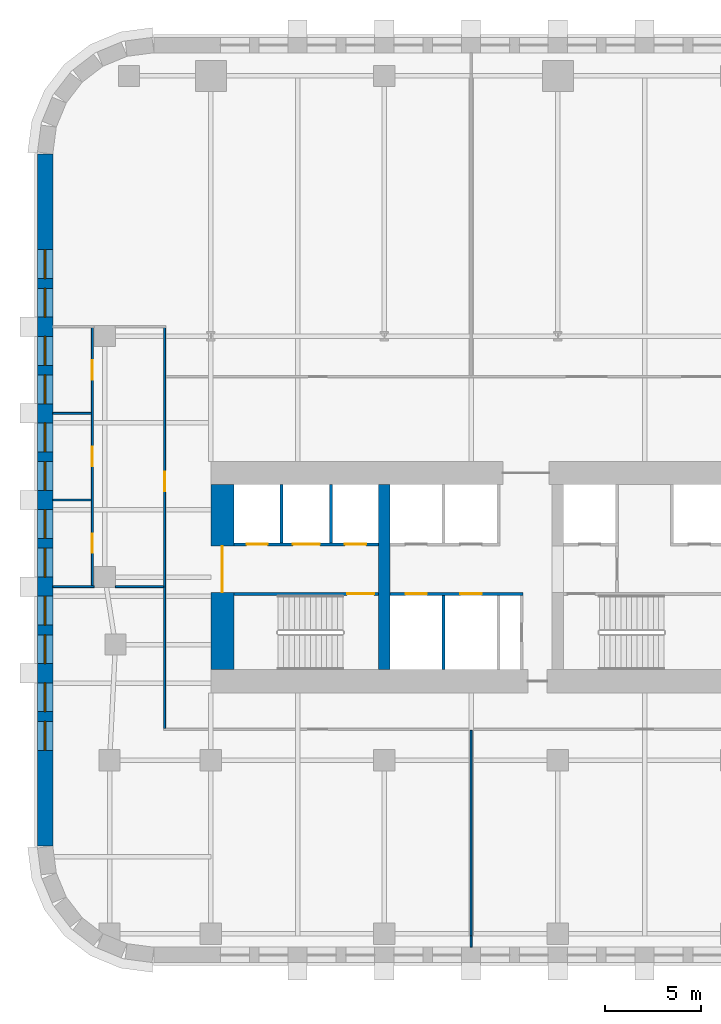
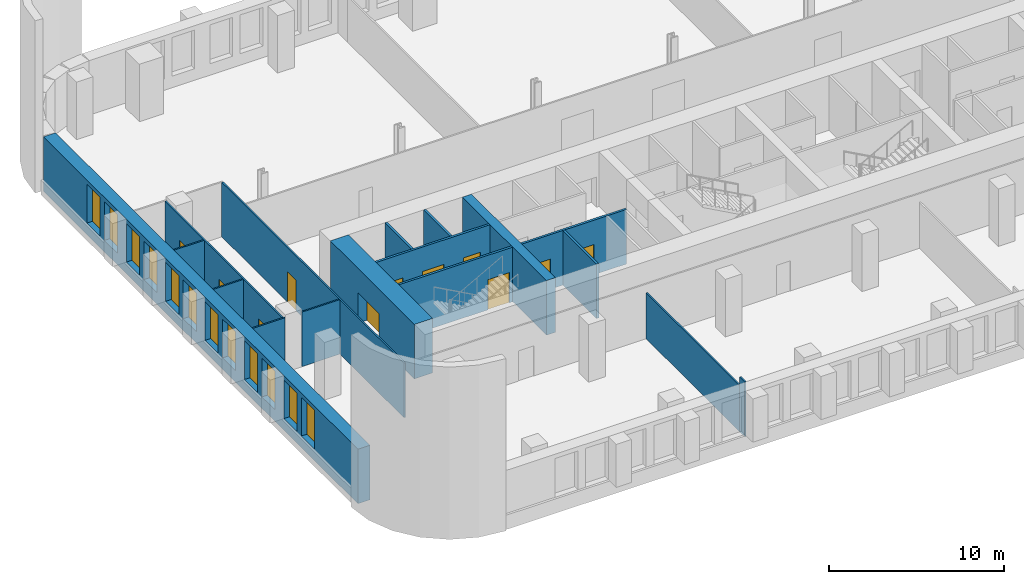
# One storey, part 3 of 11: 17 walls, 12 windows, 11 doors, 23 openings.
"""IFC4 building model written with IfcOpenShell, lengths in metres."""

from ifc_helpers import new_model, si_unit, direction, frame, frame_2d, origin, place, context, subcontext, project, spatial, rectangle, extrude, material, layer, layer_set, type_object, element, fill, save


model = new_model("IFC4")

# Units and contexts
model_context = context("Model", 3, precision=1e-05, world=origin(), true_north=direction((0.0, 1.0)))
body_context = subcontext(model_context, "Body", "Model", "MODEL_VIEW")
ifc_project = project(units=[si_unit("LENGTHUNIT", "METRE"), si_unit("AREAUNIT", "SQUARE_METRE"), si_unit("VOLUMEUNIT", "CUBIC_METRE"), si_unit("PLANEANGLEUNIT", "RADIAN"), si_unit("MASSUNIT", "GRAM", prefix="KILO")], contexts=[model_context])

# Site, building, storey
site_placement = place(None, origin())
site = spatial("IfcSite", under=ifc_project, at=site_placement, CompositionType="ELEMENT")
building_placement = place(site_placement, origin())
building = spatial("IfcBuilding", under=site, at=building_placement, Name="Zellij Exchange Tower", CompositionType="ELEMENT")
storey_placement = place(building_placement, frame((0.0, 0.0, 64.5)))
storey = spatial("IfcBuildingStorey", under=building, at=storey_placement, Name="L12", CompositionType="ELEMENT", Elevation=64.5)

# Walls
ifc_material_1 = material(Name="Concrete C70/85", Category="concrete")
ifc_layer_1 = layer(ifc_material_1, 0.60009765625)
ifc_layer_set_1 = layer_set([ifc_layer_1], Name="Concrete C70/85")
wall_type_1 = type_object("IfcWallType", Name="CORE-CW 600 C70/85", PredefinedType="SHEAR", material=ifc_layer_set_1)
wall_1_placement = place(storey_placement, frame((-18.0, -12.800048828125, 0.0), z_axis=(0.0, 0.0, 1.0), x_axis=(0.0, 1.0, 0.0)))
element("IfcWall", 1, at=wall_1_placement, inside=storey, type_object=wall_type_1, Name="Core cross wall x -18 L12", PredefinedType="SHEAR", context=body_context, shape_type="SweptSolid", body=[
    extrude(rectangle(XDim=9.60009765625, YDim=0.60009765625, at=frame_2d((4.800048828125, 0.0))), origin(), (0.0, 0.0, 1.0), 3.800048828125),
])
ifc_material_2 = material(Name="Gypsum shaft wall system")
ifc_layer_2 = layer(ifc_material_2, 0.14990234375)
ifc_layer_set_2 = layer_set([ifc_layer_2], Name="Gypsum shaft wall system")
wall_type_2 = type_object("IfcWallType", Name="CORE-PW 150 Lift shaft wall", PredefinedType="PARTITIONING", material=ifc_layer_set_2)
for number, where, z_axis, x_axis, name in (
    (2, (-20.77490234375, -6.22509765625, 0.0), (0.0, 0.0, 1.0), (0.0, 1.0, 0.0), "Lift shaft wall L12"),
    (3, (-23.324951171875, -6.22509765625, 0.0), (0.0, 0.0, 1.0), (0.0, 1.0, 0.0), "Lift shaft wall L12"),
):
    element("IfcWall", number, at=place(storey_placement, frame(where, z_axis=z_axis, x_axis=x_axis)), inside=storey, type_object=wall_type_2, Name=name, PredefinedType="PARTITIONING", context=body_context, shape_type="SweptSolid", body=[
        extrude(rectangle(XDim=3.025146484375, YDim=0.14990234375, at=frame_2d((1.5126953125, 0.0))), origin(), (0.0, 0.0, 1.0), 3.800048828125),
    ])
wall_2_placement = place(storey_placement, frame((-14.925048828125, -12.800048828125, 0.0), z_axis=(0.0, 0.0, 1.0), x_axis=(0.0, 1.0, 0.0)))
element("IfcWall", 4, at=wall_2_placement, inside=storey, type_object=wall_type_2, Name="Lift shaft wall L12", PredefinedType="PARTITIONING", context=body_context, shape_type="SweptSolid", body=[
    extrude(rectangle(XDim=3.85009765625, YDim=0.14990234375, at=frame_2d((1.925048828125, 0.0))), origin(), (0.0, 0.0, 1.0), 3.800048828125),
])

# Wall, openings, doors
wall_3_placement = place(storey_placement, frame((-25.800048828125, -6.300048828125, 0.0), z_axis=(0.0, 0.0, 1.0), x_axis=(1.0, 0.0, 0.0)))
wall_3 = element("IfcWall", 5, at=wall_3_placement, inside=storey, type_object=wall_type_2, Name="Lift shaft wall L12", PredefinedType="PARTITIONING", context=body_context, shape_type="SweptSolid", body=[
    extrude(rectangle(XDim=7.5, YDim=0.14990234375, at=frame_2d((3.75, 0.0))), origin(), (0.0, 0.0, 1.0), 3.800048828125),
])
opening_1_placement = place(wall_3_placement, frame((0.64990234375, 0.0, 0.0)))
opening_1 = element("IfcOpeningElement", 6, at=opening_1_placement, cuts=wall_3, Name="Opening CA-08.02", PredefinedType="OPENING", context=body_context, shape_type="SweptSolid", body=[
    extrude(rectangle(XDim=1.10009765625, YDim=2.10009765625, at=frame_2d((0.550048828125, 1.050048828125))), frame((0.0, 0.0869140625, 0.0), z_axis=(0.0, -1.0, 0.0), x_axis=(1.0, 0.0, 0.0)), (0.0, 0.0, 1.0), 0.173828125),
])
opening_2_placement = place(wall_3_placement, frame((3.050048828125, 0.0, 0.0)))
opening_2 = element("IfcOpeningElement", 7, at=opening_2_placement, cuts=wall_3, Name="Opening CA-08.03", PredefinedType="OPENING", context=body_context, shape_type="SweptSolid", body=[
    extrude(rectangle(XDim=1.39990234375, YDim=2.10009765625, at=frame_2d((0.699951171875, 1.050048828125))), frame((0.0, 0.0869140625, 0.0), z_axis=(0.0, -1.0, 0.0), x_axis=(1.0, 0.0, 0.0)), (0.0, 0.0, 1.0), 0.173828125),
])
opening_3_placement = place(wall_3_placement, frame((5.75, 0.0, 0.0)))
opening_3 = element("IfcOpeningElement", 8, at=opening_3_placement, cuts=wall_3, Name="Opening CA-08.04", PredefinedType="OPENING", context=body_context, shape_type="SweptSolid", body=[
    extrude(rectangle(XDim=1.10009765625, YDim=2.10009765625, at=frame_2d((0.550048828125, 1.050048828125))), frame((0.0, 0.0869140625, 0.0), z_axis=(0.0, -1.0, 0.0), x_axis=(1.0, 0.0, 0.0)), (0.0, 0.0, 1.0), 0.173828125),
])
ifc_material_3 = material(Name="Hollow metal fire door")
door_type_1 = type_object("IfcDoorType", Name="CORE-D LD Lift landing door 1100x2100 1.5 HR", OperationType="NOTDEFINED", PredefinedType="DOOR", material=ifc_material_3)
door_1_placement = place(opening_1_placement, origin())
door_1 = element("IfcDoor", 9, at=door_1_placement, inside=storey, type_object=door_type_1, Name="Lift landing door CA-08.02", OperationType="SLIDING_TO_RIGHT", OverallHeight=2.10009765625, OverallWidth=1.10009765625, PredefinedType="DOOR", context=body_context, shape_type="SweptSolid", body=[
    extrude(rectangle(XDim=1.10009765625, YDim=2.10009765625, at=frame_2d((0.550048828125, 1.050048828125))), frame((0.0, 0.02490234375, 0.0), z_axis=(0.0, -1.0, 0.0), x_axis=(1.0, 0.0, 0.0)), (0.0, 0.0, 1.0), 0.050048828125),
])
fill(opening_1, door_1)
door_2_placement = place(opening_3_placement, origin())
door_2 = element("IfcDoor", 10, at=door_2_placement, inside=storey, type_object=door_type_1, Name="Lift landing door CA-08.04", OperationType="SLIDING_TO_RIGHT", OverallHeight=2.10009765625, OverallWidth=1.10009765625, PredefinedType="DOOR", context=body_context, shape_type="SweptSolid", body=[
    extrude(rectangle(XDim=1.10009765625, YDim=2.10009765625, at=frame_2d((0.550048828125, 1.050048828125))), frame((0.0, 0.02490234375, 0.0), z_axis=(0.0, -1.0, 0.0), x_axis=(1.0, 0.0, 0.0)), (0.0, 0.0, 1.0), 0.050048828125),
])
fill(opening_3, door_2)
door_type_2 = type_object("IfcDoorType", Name="CORE-D LD2 Service lift landing door 1400x2100 1.5 HR", OperationType="NOTDEFINED", PredefinedType="DOOR", material=ifc_material_3)
door_3_placement = place(opening_2_placement, origin())
door_3 = element("IfcDoor", 11, at=door_3_placement, inside=storey, type_object=door_type_2, Name="Service lift landing door CA-08.03", OperationType="SLIDING_TO_LEFT", OverallHeight=2.10009765625, OverallWidth=1.39990234375, PredefinedType="DOOR", context=body_context, shape_type="SweptSolid", body=[
    extrude(rectangle(XDim=1.39990234375, YDim=2.10009765625, at=frame_2d((0.699951171875, 1.050048828125))), frame((0.0, 0.02490234375, 0.0), z_axis=(0.0, -1.0, 0.0), x_axis=(1.0, 0.0, 0.0)), (0.0, 0.0, 1.0), 0.050048828125),
])
fill(opening_2, door_3)

wall_4_placement = place(storey_placement, frame((-17.699951171875, -8.875, 0.0), z_axis=(0.0, 0.0, 1.0), x_axis=(1.0, 0.0, 0.0)))
wall_4 = element("IfcWall", 12, at=wall_4_placement, inside=storey, type_object=wall_type_2, Name="Lift shaft wall L12", PredefinedType="PARTITIONING", context=body_context, shape_type="SweptSolid", body=[
    extrude(rectangle(XDim=6.89990234375, YDim=0.14990234375, at=frame_2d((3.449951171875, 0.0))), origin(), (0.0, 0.0, 1.0), 3.800048828125),
])
opening_4_placement = place(wall_4_placement, frame((0.800048828125, 0.0, 0.0)))
opening_4 = element("IfcOpeningElement", 13, at=opening_4_placement, cuts=wall_4, Name="Opening CA-08.06", PredefinedType="OPENING", context=body_context, shape_type="SweptSolid", body=[
    extrude(rectangle(XDim=1.10009765625, YDim=2.10009765625, at=frame_2d((0.550048828125, 1.050048828125))), frame((0.0, 0.0869140625, 0.0), z_axis=(0.0, -1.0, 0.0), x_axis=(1.0, 0.0, 0.0)), (0.0, 0.0, 1.0), 0.173828125),
])
opening_5_placement = place(wall_4_placement, frame((3.64990234375, 0.0, 0.0)))
opening_5 = element("IfcOpeningElement", 14, at=opening_5_placement, cuts=wall_4, Name="Opening CA-08.08", PredefinedType="OPENING", context=body_context, shape_type="SweptSolid", body=[
    extrude(rectangle(XDim=1.10009765625, YDim=2.10009765625, at=frame_2d((0.550048828125, 1.050048828125))), frame((0.0, 0.0869140625, 0.0), z_axis=(0.0, -1.0, 0.0), x_axis=(1.0, 0.0, 0.0)), (0.0, 0.0, 1.0), 0.173828125),
])
door_4_placement = place(opening_4_placement, origin())
door_4 = element("IfcDoor", 15, at=door_4_placement, inside=storey, type_object=door_type_1, Name="Lift landing door CA-08.06", OperationType="SLIDING_TO_RIGHT", OverallHeight=2.10009765625, OverallWidth=1.10009765625, PredefinedType="DOOR", context=body_context, shape_type="SweptSolid", body=[
    extrude(rectangle(XDim=1.10009765625, YDim=2.10009765625, at=frame_2d((0.550048828125, 1.050048828125))), frame((0.0, 0.02490234375, 0.0), z_axis=(0.0, -1.0, 0.0), x_axis=(1.0, 0.0, 0.0)), (0.0, 0.0, 1.0), 0.050048828125),
])
fill(opening_4, door_4)
door_5_placement = place(opening_5_placement, origin())
door_5 = element("IfcDoor", 16, at=door_5_placement, inside=storey, type_object=door_type_1, Name="Lift landing door CA-08.08", OperationType="SLIDING_TO_RIGHT", OverallHeight=2.10009765625, OverallWidth=1.10009765625, PredefinedType="DOOR", context=body_context, shape_type="SweptSolid", body=[
    extrude(rectangle(XDim=1.10009765625, YDim=2.10009765625, at=frame_2d((0.550048828125, 1.050048828125))), frame((0.0, 0.02490234375, 0.0), z_axis=(0.0, -1.0, 0.0), x_axis=(1.0, 0.0, 0.0)), (0.0, 0.0, 1.0), 0.050048828125),
])
fill(opening_5, door_5)

# Wall, opening, door
ifc_layer_3 = layer(ifc_material_1, 1.199951171875)
ifc_layer_set_3 = layer_set([ifc_layer_3], Name="Concrete C70/85")
wall_type_3 = type_object("IfcWallType", Name="CORE-SW 1200 C70/85", PredefinedType="SHEAR", material=ifc_layer_set_3)
wall_5_placement = place(storey_placement, frame((-26.39990234375, -12.800048828125, 0.0), z_axis=(0.0, 0.0, 1.0), x_axis=(0.0, 1.0, 0.0)))
wall_5 = element("IfcWall", 17, at=wall_5_placement, inside=storey, type_object=wall_type_3, Name="Core shear wall end w L12", PredefinedType="SHEAR", context=body_context, shape_type="SweptSolid", body=[
    extrude(rectangle(XDim=9.60009765625, YDim=1.199951171875, at=frame_2d((4.800048828125, 0.0))), origin(), (0.0, 0.0, 1.0), 3.800048828125),
])
opening_6_placement = place(wall_5_placement, frame((4.011962890625, 0.0, 0.0)))
opening_6 = element("IfcOpeningElement", 18, at=opening_6_placement, cuts=wall_5, Name="Opening CA-08.01", PredefinedType="OPENING", context=body_context, shape_type="SweptSolid", body=[
    extrude(rectangle(XDim=2.39990234375, YDim=2.10009765625, at=frame_2d((1.199951171875, 1.050048828125))), frame((0.0, 0.61181640625, 0.0), z_axis=(0.0, -1.0, 0.0), x_axis=(1.0, 0.0, 0.0)), (0.0, 0.0, 1.0), 1.223876953125),
])
door_type_3 = type_object("IfcDoorType", Name="CORE-D CE Core entrance door 2400x2100 20 MIN", OperationType="NOTDEFINED", PredefinedType="DOOR", material=ifc_material_3)
door_6_placement = place(opening_6_placement, origin())
door_6 = element("IfcDoor", 19, at=door_6_placement, inside=storey, type_object=door_type_3, Name="Core entrance door CA-08.01", OperationType="DOUBLE_DOOR_SINGLE_SWING", OverallHeight=2.10009765625, OverallWidth=2.39990234375, PredefinedType="DOOR", context=body_context, shape_type="SweptSolid", body=[
    extrude(rectangle(XDim=2.39990234375, YDim=2.10009765625, at=frame_2d((1.199951171875, 1.050048828125))), frame((0.0, 0.02490234375, 0.0), z_axis=(0.0, -1.0, 0.0), x_axis=(1.0, 0.0, 0.0)), (0.0, 0.0, 1.0), 0.050048828125),
])
fill(opening_6, door_6)

ifc_layer_4 = layer(ifc_material_1, 0.14990234375)
ifc_layer_set_4 = layer_set([ifc_layer_4], Name="Concrete C70/85")
wall_type_4 = type_object("IfcWallType", Name="CORE-SWS 150 C70/85", PredefinedType="SHEAR", material=ifc_layer_set_4)
wall_6_placement = place(storey_placement, frame((-25.800048828125, -8.875, 0.0), z_axis=(0.0, 0.0, 1.0), x_axis=(1.0, 0.0, 0.0)))
wall_6 = element("IfcWall", 20, at=wall_6_placement, inside=storey, type_object=wall_type_4, Name="Stair enclosure wall L12", PredefinedType="SHEAR", context=body_context, shape_type="SweptSolid", body=[
    extrude(rectangle(XDim=7.5, YDim=0.14990234375, at=frame_2d((3.75, 0.0))), origin(), (0.0, 0.0, 1.0), 3.800048828125),
])
opening_7_placement = place(wall_6_placement, frame((5.875, 0.0, 0.0)))
opening_7 = element("IfcOpeningElement", 21, at=opening_7_placement, cuts=wall_6, Name="Opening CA-08.05", PredefinedType="OPENING", context=body_context, shape_type="SweptSolid", body=[
    extrude(rectangle(XDim=1.39990234375, YDim=2.10009765625, at=frame_2d((0.699951171875, 1.050048828125))), frame((0.0, 0.0869140625, 0.0), z_axis=(0.0, -1.0, 0.0), x_axis=(1.0, 0.0, 0.0)), (0.0, 0.0, 1.0), 0.173828125),
])
door_type_4 = type_object("IfcDoorType", Name="CORE-D SD Stair door 1400x2100 1.5 HR", OperationType="NOTDEFINED", PredefinedType="DOOR", material=ifc_material_3)
door_7_placement = place(opening_7_placement, origin())
door_7 = element("IfcDoor", 22, at=door_7_placement, inside=storey, type_object=door_type_4, Name="Stair door CA-08.05", OperationType="DOUBLE_DOOR_SINGLE_SWING", OverallHeight=2.10009765625, OverallWidth=1.39990234375, PredefinedType="DOOR", context=body_context, shape_type="SweptSolid", body=[
    extrude(rectangle(XDim=1.39990234375, YDim=2.10009765625, at=frame_2d((0.699951171875, 1.050048828125))), frame((0.0, 0.02490234375, 0.0), z_axis=(0.0, -1.0, 0.0), x_axis=(1.0, 0.0, 0.0)), (0.0, 0.0, 1.0), 0.050048828125),
])
fill(opening_7, door_7)

# Wall, openings, windows
ifc_material_4 = material(Name="Precast concrete C40/50", Category="concrete")
ifc_layer_5 = layer(ifc_material_4, 0.800048828125)
ifc_layer_set_5 = layer_set([ifc_layer_5], Name="Precast concrete C40/50")
wall_type_5 = type_object("IfcWallType", Name="ENV-EW1 Precast stone-piered wall 800", PredefinedType="SOLIDWALL", material=ifc_layer_set_5)
wall_7_placement = place(storey_placement, frame((-35.60009765625, 13.947509765625, 0.0), z_axis=(0.0, 0.0, 1.0), x_axis=(0.0, -1.0, 0.0)))
wall_7 = element("IfcWall", 23, at=wall_7_placement, inside=storey, type_object=wall_type_5, Name="fac.L12.21", PredefinedType="SOLIDWALL", context=body_context, shape_type="SweptSolid", body=[
    extrude(rectangle(XDim=35.89501953125, YDim=0.800048828125, at=frame_2d((17.947509765625, 0.0))), origin(), (0.0, 0.0, 1.0), 3.800048828125),
])
opening_8_placement = place(wall_7_placement, frame((4.9638671875, 0.0, 0.800048828125)))
opening_8 = element("IfcOpeningElement", 24, at=opening_8_placement, cuts=wall_7, Name="Opening FZ1.61", PredefinedType="OPENING", context=body_context, shape_type="SweptSolid", body=[
    extrude(rectangle(XDim=1.5, YDim=2.699951171875, at=frame_2d((0.75, 1.35009765625))), frame((0.0, 0.412109375, 0.0), z_axis=(0.0, -1.0, 0.0), x_axis=(1.0, 0.0, 0.0)), (0.0, 0.0, 1.0), 0.823974609375),
])
opening_9_placement = place(wall_7_placement, frame((6.9638671875, 0.0, 0.800048828125)))
opening_9 = element("IfcOpeningElement", 25, at=opening_9_placement, cuts=wall_7, Name="Opening FZ1.62", PredefinedType="OPENING", context=body_context, shape_type="SweptSolid", body=[
    extrude(rectangle(XDim=1.5, YDim=2.699951171875, at=frame_2d((0.75, 1.35009765625))), frame((0.0, 0.412109375, 0.0), z_axis=(0.0, -1.0, 0.0), x_axis=(1.0, 0.0, 0.0)), (0.0, 0.0, 1.0), 0.823974609375),
])
opening_10_placement = place(wall_7_placement, frame((9.45751953125, 0.0, 0.800048828125)))
opening_10 = element("IfcOpeningElement", 26, at=opening_10_placement, cuts=wall_7, Name="Opening FZ1.63", PredefinedType="OPENING", context=body_context, shape_type="SweptSolid", body=[
    extrude(rectangle(XDim=1.5, YDim=2.699951171875, at=frame_2d((0.75, 1.35009765625))), frame((0.0, 0.412109375, 0.0), z_axis=(0.0, -1.0, 0.0), x_axis=(1.0, 0.0, 0.0)), (0.0, 0.0, 1.0), 0.823974609375),
])
opening_11_placement = place(wall_7_placement, frame((11.45751953125, 0.0, 0.800048828125)))
opening_11 = element("IfcOpeningElement", 27, at=opening_11_placement, cuts=wall_7, Name="Opening FZ1.64", PredefinedType="OPENING", context=body_context, shape_type="SweptSolid", body=[
    extrude(rectangle(XDim=1.5, YDim=2.699951171875, at=frame_2d((0.75, 1.35009765625))), frame((0.0, 0.412109375, 0.0), z_axis=(0.0, -1.0, 0.0), x_axis=(1.0, 0.0, 0.0)), (0.0, 0.0, 1.0), 0.823974609375),
])
opening_12_placement = place(wall_7_placement, frame((13.950927734375, 0.0, 0.800048828125)))
opening_12 = element("IfcOpeningElement", 28, at=opening_12_placement, cuts=wall_7, Name="Opening FZ1.65", PredefinedType="OPENING", context=body_context, shape_type="SweptSolid", body=[
    extrude(rectangle(XDim=1.5, YDim=2.699951171875, at=frame_2d((0.75, 1.35009765625))), frame((0.0, 0.412109375, 0.0), z_axis=(0.0, -1.0, 0.0), x_axis=(1.0, 0.0, 0.0)), (0.0, 0.0, 1.0), 0.823974609375),
])
opening_13_placement = place(wall_7_placement, frame((15.95068359375, 0.0, 0.800048828125)))
opening_13 = element("IfcOpeningElement", 29, at=opening_13_placement, cuts=wall_7, Name="Opening FZ1.66", PredefinedType="OPENING", context=body_context, shape_type="SweptSolid", body=[
    extrude(rectangle(XDim=1.5, YDim=2.699951171875, at=frame_2d((0.75, 1.35009765625))), frame((0.0, 0.412109375, 0.0), z_axis=(0.0, -1.0, 0.0), x_axis=(1.0, 0.0, 0.0)), (0.0, 0.0, 1.0), 0.823974609375),
])
opening_14_placement = place(wall_7_placement, frame((18.4443359375, 0.0, 0.800048828125)))
opening_14 = element("IfcOpeningElement", 30, at=opening_14_placement, cuts=wall_7, Name="Opening FZ1.67", PredefinedType="OPENING", context=body_context, shape_type="SweptSolid", body=[
    extrude(rectangle(XDim=1.5, YDim=2.699951171875, at=frame_2d((0.75, 1.35009765625))), frame((0.0, 0.412109375, 0.0), z_axis=(0.0, -1.0, 0.0), x_axis=(1.0, 0.0, 0.0)), (0.0, 0.0, 1.0), 0.823974609375),
])
opening_15_placement = place(wall_7_placement, frame((20.4443359375, 0.0, 0.800048828125)))
opening_15 = element("IfcOpeningElement", 31, at=opening_15_placement, cuts=wall_7, Name="Opening FZ1.68", PredefinedType="OPENING", context=body_context, shape_type="SweptSolid", body=[
    extrude(rectangle(XDim=1.5, YDim=2.699951171875, at=frame_2d((0.75, 1.35009765625))), frame((0.0, 0.412109375, 0.0), z_axis=(0.0, -1.0, 0.0), x_axis=(1.0, 0.0, 0.0)), (0.0, 0.0, 1.0), 0.823974609375),
])
opening_16_placement = place(wall_7_placement, frame((22.937744140625, 0.0, 0.800048828125)))
opening_16 = element("IfcOpeningElement", 32, at=opening_16_placement, cuts=wall_7, Name="Opening FZ1.69", PredefinedType="OPENING", context=body_context, shape_type="SweptSolid", body=[
    extrude(rectangle(XDim=1.5, YDim=2.699951171875, at=frame_2d((0.75, 1.35009765625))), frame((0.0, 0.412109375, 0.0), z_axis=(0.0, -1.0, 0.0), x_axis=(1.0, 0.0, 0.0)), (0.0, 0.0, 1.0), 0.823974609375),
])
opening_17_placement = place(wall_7_placement, frame((24.937744140625, 0.0, 0.800048828125)))
opening_17 = element("IfcOpeningElement", 33, at=opening_17_placement, cuts=wall_7, Name="Opening FZ1.70", PredefinedType="OPENING", context=body_context, shape_type="SweptSolid", body=[
    extrude(rectangle(XDim=1.5, YDim=2.699951171875, at=frame_2d((0.75, 1.35009765625))), frame((0.0, 0.412109375, 0.0), z_axis=(0.0, -1.0, 0.0), x_axis=(1.0, 0.0, 0.0)), (0.0, 0.0, 1.0), 0.823974609375),
])
opening_18_placement = place(wall_7_placement, frame((27.43115234375, 0.0, 0.800048828125)))
opening_18 = element("IfcOpeningElement", 34, at=opening_18_placement, cuts=wall_7, Name="Opening FZ1.71", PredefinedType="OPENING", context=body_context, shape_type="SweptSolid", body=[
    extrude(rectangle(XDim=1.5, YDim=2.699951171875, at=frame_2d((0.75, 1.35009765625))), frame((0.0, 0.412109375, 0.0), z_axis=(0.0, -1.0, 0.0), x_axis=(1.0, 0.0, 0.0)), (0.0, 0.0, 1.0), 0.823974609375),
])
opening_19_placement = place(wall_7_placement, frame((29.43115234375, 0.0, 0.800048828125)))
opening_19 = element("IfcOpeningElement", 35, at=opening_19_placement, cuts=wall_7, Name="Opening FZ1.72", PredefinedType="OPENING", context=body_context, shape_type="SweptSolid", body=[
    extrude(rectangle(XDim=1.5, YDim=2.699951171875, at=frame_2d((0.75, 1.35009765625))), frame((0.0, 0.412109375, 0.0), z_axis=(0.0, -1.0, 0.0), x_axis=(1.0, 0.0, 0.0)), (0.0, 0.0, 1.0), 0.823974609375),
])
ifc_material_5 = material(Name="Aluminium frame with insulating glass", Category="aluminium")
window_type = type_object("IfcWindowType", Name="ENV-W6 Window 1500x2700", PartitioningType="SINGLE_PANEL", PredefinedType="WINDOW", material=ifc_material_5)
window_1_placement = place(opening_8_placement, origin())
window_1 = element("IfcWindow", 36, at=window_1_placement, inside=storey, type_object=window_type, Name="Window FZ1.61", OverallHeight=2.699951171875, OverallWidth=1.5, PartitioningType="SINGLE_PANEL", PredefinedType="WINDOW", context=body_context, shape_type="SweptSolid", body=[
    extrude(rectangle(XDim=1.5, YDim=2.699951171875, at=frame_2d((0.75, 1.35009765625))), frame((0.0, 0.030029296875, 0.0), z_axis=(0.0, -1.0, 0.0), x_axis=(1.0, 0.0, 0.0)), (0.0, 0.0, 1.0), 0.06005859375),
])
fill(opening_8, window_1)
window_2_placement = place(opening_9_placement, origin())
window_2 = element("IfcWindow", 37, at=window_2_placement, inside=storey, type_object=window_type, Name="Window FZ1.62", OverallHeight=2.699951171875, OverallWidth=1.5, PartitioningType="SINGLE_PANEL", PredefinedType="WINDOW", context=body_context, shape_type="SweptSolid", body=[
    extrude(rectangle(XDim=1.5, YDim=2.699951171875, at=frame_2d((0.75, 1.35009765625))), frame((0.0, 0.030029296875, 0.0), z_axis=(0.0, -1.0, 0.0), x_axis=(1.0, 0.0, 0.0)), (0.0, 0.0, 1.0), 0.06005859375),
])
fill(opening_9, window_2)
window_3_placement = place(opening_10_placement, origin())
window_3 = element("IfcWindow", 38, at=window_3_placement, inside=storey, type_object=window_type, Name="Window FZ1.63", OverallHeight=2.699951171875, OverallWidth=1.5, PartitioningType="SINGLE_PANEL", PredefinedType="WINDOW", context=body_context, shape_type="SweptSolid", body=[
    extrude(rectangle(XDim=1.5, YDim=2.699951171875, at=frame_2d((0.75, 1.35009765625))), frame((0.0, 0.030029296875, 0.0), z_axis=(0.0, -1.0, 0.0), x_axis=(1.0, 0.0, 0.0)), (0.0, 0.0, 1.0), 0.06005859375),
])
fill(opening_10, window_3)
window_4_placement = place(opening_11_placement, origin())
window_4 = element("IfcWindow", 39, at=window_4_placement, inside=storey, type_object=window_type, Name="Window FZ1.64", OverallHeight=2.699951171875, OverallWidth=1.5, PartitioningType="SINGLE_PANEL", PredefinedType="WINDOW", context=body_context, shape_type="SweptSolid", body=[
    extrude(rectangle(XDim=1.5, YDim=2.699951171875, at=frame_2d((0.75, 1.35009765625))), frame((0.0, 0.030029296875, 0.0), z_axis=(0.0, -1.0, 0.0), x_axis=(1.0, 0.0, 0.0)), (0.0, 0.0, 1.0), 0.06005859375),
])
fill(opening_11, window_4)
window_5_placement = place(opening_12_placement, origin())
window_5 = element("IfcWindow", 40, at=window_5_placement, inside=storey, type_object=window_type, Name="Window FZ1.65", OverallHeight=2.699951171875, OverallWidth=1.5, PartitioningType="SINGLE_PANEL", PredefinedType="WINDOW", context=body_context, shape_type="SweptSolid", body=[
    extrude(rectangle(XDim=1.5, YDim=2.699951171875, at=frame_2d((0.75, 1.35009765625))), frame((0.0, 0.030029296875, 0.0), z_axis=(0.0, -1.0, 0.0), x_axis=(1.0, 0.0, 0.0)), (0.0, 0.0, 1.0), 0.06005859375),
])
fill(opening_12, window_5)
window_6_placement = place(opening_13_placement, origin())
window_6 = element("IfcWindow", 41, at=window_6_placement, inside=storey, type_object=window_type, Name="Window FZ1.66", OverallHeight=2.699951171875, OverallWidth=1.5, PartitioningType="SINGLE_PANEL", PredefinedType="WINDOW", context=body_context, shape_type="SweptSolid", body=[
    extrude(rectangle(XDim=1.5, YDim=2.699951171875, at=frame_2d((0.75, 1.35009765625))), frame((0.0, 0.030029296875, 0.0), z_axis=(0.0, -1.0, 0.0), x_axis=(1.0, 0.0, 0.0)), (0.0, 0.0, 1.0), 0.06005859375),
])
fill(opening_13, window_6)
window_7_placement = place(opening_14_placement, origin())
window_7 = element("IfcWindow", 42, at=window_7_placement, inside=storey, type_object=window_type, Name="Window FZ1.67", OverallHeight=2.699951171875, OverallWidth=1.5, PartitioningType="SINGLE_PANEL", PredefinedType="WINDOW", context=body_context, shape_type="SweptSolid", body=[
    extrude(rectangle(XDim=1.5, YDim=2.699951171875, at=frame_2d((0.75, 1.35009765625))), frame((0.0, 0.030029296875, 0.0), z_axis=(0.0, -1.0, 0.0), x_axis=(1.0, 0.0, 0.0)), (0.0, 0.0, 1.0), 0.06005859375),
])
fill(opening_14, window_7)
window_8_placement = place(opening_15_placement, origin())
window_8 = element("IfcWindow", 43, at=window_8_placement, inside=storey, type_object=window_type, Name="Window FZ1.68", OverallHeight=2.699951171875, OverallWidth=1.5, PartitioningType="SINGLE_PANEL", PredefinedType="WINDOW", context=body_context, shape_type="SweptSolid", body=[
    extrude(rectangle(XDim=1.5, YDim=2.699951171875, at=frame_2d((0.75, 1.35009765625))), frame((0.0, 0.030029296875, 0.0), z_axis=(0.0, -1.0, 0.0), x_axis=(1.0, 0.0, 0.0)), (0.0, 0.0, 1.0), 0.06005859375),
])
fill(opening_15, window_8)
window_9_placement = place(opening_16_placement, origin())
window_9 = element("IfcWindow", 44, at=window_9_placement, inside=storey, type_object=window_type, Name="Window FZ1.69", OverallHeight=2.699951171875, OverallWidth=1.5, PartitioningType="SINGLE_PANEL", PredefinedType="WINDOW", context=body_context, shape_type="SweptSolid", body=[
    extrude(rectangle(XDim=1.5, YDim=2.699951171875, at=frame_2d((0.75, 1.35009765625))), frame((0.0, 0.030029296875, 0.0), z_axis=(0.0, -1.0, 0.0), x_axis=(1.0, 0.0, 0.0)), (0.0, 0.0, 1.0), 0.06005859375),
])
fill(opening_16, window_9)
window_10_placement = place(opening_17_placement, origin())
window_10 = element("IfcWindow", 45, at=window_10_placement, inside=storey, type_object=window_type, Name="Window FZ1.70", OverallHeight=2.699951171875, OverallWidth=1.5, PartitioningType="SINGLE_PANEL", PredefinedType="WINDOW", context=body_context, shape_type="SweptSolid", body=[
    extrude(rectangle(XDim=1.5, YDim=2.699951171875, at=frame_2d((0.75, 1.35009765625))), frame((0.0, 0.030029296875, 0.0), z_axis=(0.0, -1.0, 0.0), x_axis=(1.0, 0.0, 0.0)), (0.0, 0.0, 1.0), 0.06005859375),
])
fill(opening_17, window_10)
window_11_placement = place(opening_18_placement, origin())
window_11 = element("IfcWindow", 46, at=window_11_placement, inside=storey, type_object=window_type, Name="Window FZ1.71", OverallHeight=2.699951171875, OverallWidth=1.5, PartitioningType="SINGLE_PANEL", PredefinedType="WINDOW", context=body_context, shape_type="SweptSolid", body=[
    extrude(rectangle(XDim=1.5, YDim=2.699951171875, at=frame_2d((0.75, 1.35009765625))), frame((0.0, 0.030029296875, 0.0), z_axis=(0.0, -1.0, 0.0), x_axis=(1.0, 0.0, 0.0)), (0.0, 0.0, 1.0), 0.06005859375),
])
fill(opening_18, window_11)
window_12_placement = place(opening_19_placement, origin())
window_12 = element("IfcWindow", 47, at=window_12_placement, inside=storey, type_object=window_type, Name="Window FZ1.72", OverallHeight=2.699951171875, OverallWidth=1.5, PartitioningType="SINGLE_PANEL", PredefinedType="WINDOW", context=body_context, shape_type="SweptSolid", body=[
    extrude(rectangle(XDim=1.5, YDim=2.699951171875, at=frame_2d((0.75, 1.35009765625))), frame((0.0, 0.030029296875, 0.0), z_axis=(0.0, -1.0, 0.0), x_axis=(1.0, 0.0, 0.0)), (0.0, 0.0, 1.0), 0.06005859375),
])
fill(opening_19, window_12)

# Walls
ifc_material_6 = material(Name="Gypsum board partition on steel studs", Category="steel")
ifc_layer_6 = layer(ifc_material_6, 0.10009765625)
ifc_layer_set_6 = layer_set([ifc_layer_6], Name="Gypsum board partition on steel studs")
wall_type_6 = type_object("IfcWallType", Name="FIT-PARTITION-100", PredefinedType="PARTITIONING", material=ifc_layer_set_6)
wall_8_placement = place(storey_placement, frame((-13.5, -27.199951171875, 0.0), z_axis=(0.0, 0.0, 1.0), x_axis=(0.0, 1.0, 0.0)))
element("IfcWall", 48, at=wall_8_placement, inside=storey, type_object=wall_type_6, Name="FIT-PARTITION-100 001", PredefinedType="PARTITIONING", context=body_context, shape_type="SweptSolid", body=[
    extrude(rectangle(XDim=0.58544921875, YDim=0.10009765625, at=frame_2d((0.292724609375, 0.0))), origin(), (0.0, 0.0, 1.0), 3.800048828125),
])
wall_9_placement = place(storey_placement, frame((-13.5, -26.614501953125, 0.0), z_axis=(0.0, 0.0, 1.0), x_axis=(0.0, 1.0, 0.0)))
element("IfcWall", 49, at=wall_9_placement, inside=storey, type_object=wall_type_6, Name="FIT-PARTITION-100 002", PredefinedType="PARTITIONING", context=body_context, shape_type="SweptSolid", body=[
    extrude(rectangle(XDim=10.66455078125, YDim=0.10009765625, at=frame_2d((5.332275390625, 0.0))), origin(), (0.0, 0.0, 1.0), 3.197998046875),
])

# Wall, opening, door
wall_10_placement = place(storey_placement, frame((-29.39990234375, -15.85009765625, 0.0), z_axis=(0.0, 0.0, 1.0), x_axis=(0.0, 1.0, 0.0)))
wall_10 = element("IfcWall", 50, at=wall_10_placement, inside=storey, type_object=wall_type_6, Name="FIT-PARTITION-100 008", PredefinedType="PARTITIONING", context=body_context, shape_type="SweptSolid", body=[
    extrude(rectangle(XDim=20.7900390625, YDim=0.10009765625, at=frame_2d((10.39501953125, 0.0))), origin(), (0.0, 0.0, 1.0), 3.800048828125),
])
opening_20_placement = place(wall_10_placement, frame((12.31005859375, 0.0, 0.0)))
opening_20 = element("IfcOpeningElement", 51, at=opening_20_placement, cuts=wall_10, Name="Opening TB.06", PredefinedType="OPENING", context=body_context, shape_type="SweptSolid", body=[
    extrude(rectangle(XDim=1.0, YDim=2.10009765625, at=frame_2d((0.5, 1.050048828125))), frame((0.0, 0.06201171875, 0.0), z_axis=(0.0, -1.0, 0.0), x_axis=(1.0, 0.0, 0.0)), (0.0, 0.0, 1.0), 0.1240234375),
])
ifc_material_7 = material(Name="Timber door set", Category="wood")
door_type_5 = type_object("IfcDoorType", Name="FIT-D2-WIDE-1000X2100", OperationType="SINGLE_SWING_LEFT", PredefinedType="DOOR", material=ifc_material_7)
door_8_placement = place(opening_20_placement, origin())
door_8 = element("IfcDoor", 52, at=door_8_placement, inside=storey, type_object=door_type_5, Name="Door TB.06", OperationType="SINGLE_SWING_RIGHT", OverallHeight=2.10009765625, OverallWidth=1.0, PredefinedType="DOOR", context=body_context, shape_type="SweptSolid", body=[
    extrude(rectangle(XDim=1.0, YDim=2.10009765625, at=frame_2d((0.5, 1.050048828125))), frame((0.0, 0.02490234375, 0.0), z_axis=(0.0, -1.0, 0.0), x_axis=(1.0, 0.0, 0.0)), (0.0, 0.0, 1.0), 0.050048828125),
])
fill(opening_20, door_8)

# Walls
wall_11_placement = place(storey_placement, frame((-35.199951171875, -8.489990234375, 0.0), z_axis=(0.0, 0.0, 1.0), x_axis=(1.0, 0.0, 0.0)))
element("IfcWall", 53, at=wall_11_placement, inside=storey, type_object=wall_type_6, Name="FIT-PARTITION-100 010", PredefinedType="PARTITIONING", context=body_context, shape_type="SweptSolid", body=[
    extrude(rectangle(XDim=2.14990234375, YDim=0.10009765625, at=frame_2d((1.074951171875, 0.0))), origin(), (0.0, 0.0, 1.0), 3.800048828125),
])
wall_12_placement = place(storey_placement, frame((-31.949951171875, -8.489990234375, 0.0), z_axis=(0.0, 0.0, 1.0), x_axis=(1.0, 0.0, 0.0)))
element("IfcWall", 54, at=wall_12_placement, inside=storey, type_object=wall_type_6, Name="FIT-PARTITION-100 011", PredefinedType="PARTITIONING", context=body_context, shape_type="SweptSolid", body=[
    extrude(rectangle(XDim=2.5, YDim=0.10009765625, at=frame_2d((1.25, 0.0))), origin(), (0.0, 0.0, 1.0), 3.800048828125),
])

# Wall, openings, doors
wall_13_placement = place(storey_placement, frame((-33.14990234375, -8.43994140625, 0.0), z_axis=(0.0, 0.0, 1.0), x_axis=(0.0, 1.0, 0.0)))
wall_13 = element("IfcWall", 55, at=wall_13_placement, inside=storey, type_object=wall_type_6, Name="FIT-PARTITION-100 012", PredefinedType="PARTITIONING", context=body_context, shape_type="SweptSolid", body=[
    extrude(rectangle(XDim=13.3798828125, YDim=0.10009765625, at=frame_2d((6.68994140625, 0.0))), origin(), (0.0, 0.0, 1.0), 3.800048828125),
])
opening_21_placement = place(wall_13_placement, frame((1.699951171875, 0.0, 0.0)))
opening_21 = element("IfcOpeningElement", 56, at=opening_21_placement, cuts=wall_13, Name="Opening TB.05", PredefinedType="OPENING", context=body_context, shape_type="SweptSolid", body=[
    extrude(rectangle(XDim=1.0, YDim=2.10009765625, at=frame_2d((0.5, 1.050048828125))), frame((0.0, 0.06201171875, 0.0), z_axis=(0.0, -1.0, 0.0), x_axis=(1.0, 0.0, 0.0)), (0.0, 0.0, 1.0), 0.1240234375),
])
opening_22_placement = place(wall_13_placement, frame((6.18994140625, 0.0, 0.0)))
opening_22 = element("IfcOpeningElement", 57, at=opening_22_placement, cuts=wall_13, Name="Opening TB.08", PredefinedType="OPENING", context=body_context, shape_type="SweptSolid", body=[
    extrude(rectangle(XDim=1.0, YDim=2.10009765625, at=frame_2d((0.5, 1.050048828125))), frame((0.0, 0.06201171875, 0.0), z_axis=(0.0, -1.0, 0.0), x_axis=(1.0, 0.0, 0.0)), (0.0, 0.0, 1.0), 0.1240234375),
])
opening_23_placement = place(wall_13_placement, frame((10.679931640625, 0.0, 0.0)))
opening_23 = element("IfcOpeningElement", 58, at=opening_23_placement, cuts=wall_13, Name="Opening TB.14", PredefinedType="OPENING", context=body_context, shape_type="SweptSolid", body=[
    extrude(rectangle(XDim=1.0, YDim=2.10009765625, at=frame_2d((0.5, 1.050048828125))), frame((0.0, 0.06201171875, 0.0), z_axis=(0.0, -1.0, 0.0), x_axis=(1.0, 0.0, 0.0)), (0.0, 0.0, 1.0), 0.1240234375),
])
door_9_placement = place(opening_21_placement, origin())
door_9 = element("IfcDoor", 59, at=door_9_placement, inside=storey, type_object=door_type_5, Name="Door TB.05", OperationType="SINGLE_SWING_LEFT", OverallHeight=2.10009765625, OverallWidth=1.0, PredefinedType="DOOR", context=body_context, shape_type="SweptSolid", body=[
    extrude(rectangle(XDim=1.0, YDim=2.10009765625, at=frame_2d((0.5, 1.050048828125))), frame((0.0, 0.02490234375, 0.0), z_axis=(0.0, -1.0, 0.0), x_axis=(1.0, 0.0, 0.0)), (0.0, 0.0, 1.0), 0.050048828125),
])
fill(opening_21, door_9)
door_10_placement = place(opening_22_placement, origin())
door_10 = element("IfcDoor", 60, at=door_10_placement, inside=storey, type_object=door_type_5, Name="Door TB.08", OperationType="SINGLE_SWING_LEFT", OverallHeight=2.10009765625, OverallWidth=1.0, PredefinedType="DOOR", context=body_context, shape_type="SweptSolid", body=[
    extrude(rectangle(XDim=1.0, YDim=2.10009765625, at=frame_2d((0.5, 1.050048828125))), frame((0.0, 0.02490234375, 0.0), z_axis=(0.0, -1.0, 0.0), x_axis=(1.0, 0.0, 0.0)), (0.0, 0.0, 1.0), 0.050048828125),
])
fill(opening_22, door_10)
door_11_placement = place(opening_23_placement, origin())
door_11 = element("IfcDoor", 61, at=door_11_placement, inside=storey, type_object=door_type_5, Name="Door TB.14", OperationType="SINGLE_SWING_RIGHT", OverallHeight=2.10009765625, OverallWidth=1.0, PredefinedType="DOOR", context=body_context, shape_type="SweptSolid", body=[
    extrude(rectangle(XDim=1.0, YDim=2.10009765625, at=frame_2d((0.5, 1.050048828125))), frame((0.0, 0.02490234375, 0.0), z_axis=(0.0, -1.0, 0.0), x_axis=(1.0, 0.0, 0.0)), (0.0, 0.0, 1.0), 0.050048828125),
])
fill(opening_23, door_11)

# Walls
for number, where, z_axis, x_axis, name in (
    (62, (-35.199951171875, -4.0, 0.0), (0.0, 0.0, 1.0), (1.0, 0.0, 0.0), "FIT-PARTITION-100 015"),
    (63, (-35.199951171875, 0.489990234375, 0.0), (0.0, 0.0, 1.0), (1.0, 0.0, 0.0), "FIT-PARTITION-100 016"),
):
    element("IfcWall", number, at=place(storey_placement, frame(where, z_axis=z_axis, x_axis=x_axis)), inside=storey, type_object=wall_type_6, Name=name, PredefinedType="PARTITIONING", context=body_context, shape_type="SweptSolid", body=[
        extrude(rectangle(XDim=2.0, YDim=0.10009765625, at=frame_2d((1.0, 0.0))), origin(), (0.0, 0.0, 1.0), 3.800048828125),
    ])

save(model, "model.ifc")
